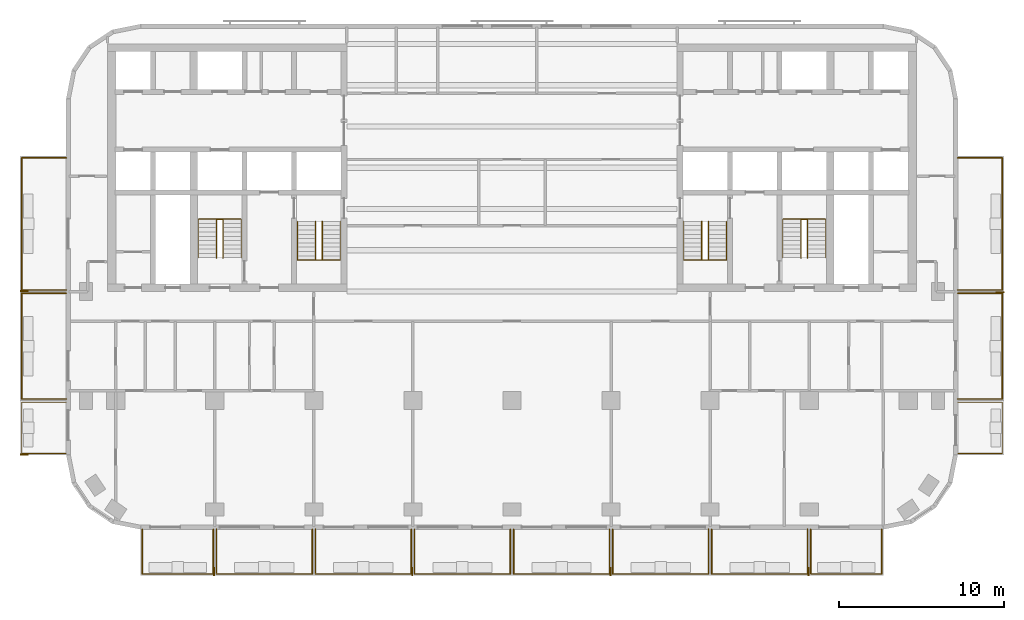
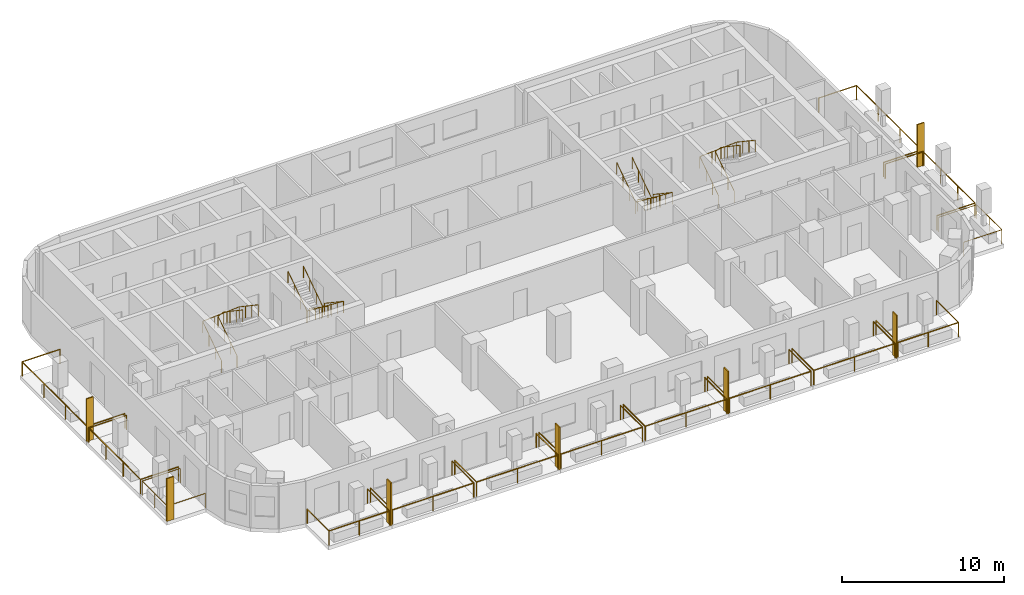
# One storey, part 9 of 11: 22 railings, 7 shading devices.
"""IFC4 building model written with IfcOpenShell, lengths in metres."""

from ifc_helpers import new_model, si_unit, direction, frame, origin, origin_2d, place, context, subcontext, project, spatial, rectangle, circle, extrude, material, layer, layer_set, type_object, element, save


model = new_model("IFC4")

# Units and contexts
model_context = context("Model", 3, precision=1e-05, world=origin(), true_north=direction((0.0, 1.0)))
body_context = subcontext(model_context, "Body", "Model", "MODEL_VIEW")
ifc_project = project(units=[si_unit("LENGTHUNIT", "METRE"), si_unit("AREAUNIT", "SQUARE_METRE"), si_unit("VOLUMEUNIT", "CUBIC_METRE"), si_unit("PLANEANGLEUNIT", "RADIAN"), si_unit("MASSUNIT", "GRAM", prefix="KILO")], contexts=[model_context])

# Site, building, storey
site_placement = place(None, origin())
site = spatial("IfcSite", under=ifc_project, at=site_placement, CompositionType="ELEMENT")
building_placement = place(site_placement, origin())
building = spatial("IfcBuilding", under=site, at=building_placement, Name="Torana Hotel and Residences", CompositionType="ELEMENT")
storey_placement = place(building_placement, frame((0.0, 0.0, 222.10009765625)))
storey = spatial("IfcBuildingStorey", under=building, at=storey_placement, Name="L58", CompositionType="ELEMENT", Elevation=222.10009765625)

# Shading devices
ifc_material_1 = material(Name="Black powder coated aluminium", Category="aluminium")
ifc_layer = layer(ifc_material_1, 0.080078125)
ifc_layer_set = layer_set([ifc_layer], Name="FN1 VERTICAL FIN 500x80")
shading_device_type = type_object("IfcShadingDeviceType", Name="FN1 VERTICAL FIN 500x80", PredefinedType="USERDEFINED", material=ifc_layer_set)
for number, where, z_axis, x_axis, name in (
    (1, (-18.0400390625, -31.949951171875, 0.0), (0.0, 0.0, 1.0), (-1.0, 0.0, 0.0), "Fin 01"),
    (2, (-6.0400390625, -31.949951171875, 0.0), (0.0, 0.0, 1.0), (-1.0, 0.0, 0.0), "Fin 03"),
    (3, (5.9599609375, -31.949951171875, 0.0), (0.0, 0.0, 1.0), (-1.0, 0.0, 0.0), "Fin 05"),
    (4, (17.9599609375, -31.949951171875, 0.0), (0.0, 0.0, 1.0), (-1.0, 0.0, 0.0), "Fin 07"),
    (5, (-29.550048828125, -24.860107421875, 0.0), (0.0, 0.0, 1.0), (0.0, 1.0, 0.0), "Fin 09"),
    (6, (-29.550048828125, -14.9599609375, 0.0), (0.0, 0.0, 1.0), (0.0, 1.0, 0.0), "Fin 11"),
    (7, (29.550048828125, -15.0400390625, 0.0), (0.0, 0.0, 1.0), (0.0, -1.0, 0.0), "Fin 13"),
):
    element("IfcShadingDevice", number, at=place(storey_placement, frame(where, z_axis=z_axis, x_axis=x_axis)), inside=storey, type_object=shading_device_type, Name=name, ObjectType="FIN", PredefinedType="USERDEFINED", context=body_context, shape_type="SweptSolid", body=[
        extrude(rectangle(XDim=0.080078125, YDim=0.5, at=origin_2d()), origin(), (0.0, 0.0, 1.0), 3.219970703125),
    ])

# Railings
ifc_material_2 = material(Name="Laminated glass balustrade with black handrail", Category="glass")
railing_type_1 = type_object("IfcRailingType", Name="GR1 BALCONY GUARD 1100 GLASS", PredefinedType="GUARDRAIL", material=ifc_material_2)
railing_1_placement = place(storey_placement, frame((-18.10009765625, -29.39990234375, 0.0)))
element("IfcRailing", 8, at=railing_1_placement, inside=storey, type_object=railing_type_1, Name="Balcony guard 01", PredefinedType="GUARDRAIL", context=body_context, shape_type="SweptSolid", body=[
    extrude(circle(Radius=0.02392578125, at=origin_2d()), frame((0.0, 0.0, 1.076171875), z_axis=(0.0, -1.0, 0.0), x_axis=(1.0, 0.0, 0.0)), (0.0, 0.0, 1.0), 2.7001953125),
    extrude(circle(Radius=0.02392578125, at=origin_2d()), frame((0.0, -2.7001953125, 1.076171875), z_axis=(-1.0, 0.0, 0.0), x_axis=(0.0, -1.0, 0.0)), (0.0, 0.0, 1.0), 4.2998046875),
    extrude(circle(Radius=0.02392578125, at=origin_2d()), frame((-4.2998046875, -2.7001953125, 1.076171875), z_axis=(0.0, 1.0, 0.0), x_axis=(-1.0, 0.0, 0.0)), (0.0, 0.0, 1.0), 2.7001953125),
    extrude(circle(Radius=0.02099609375, at=origin_2d()), origin(), (0.0, 0.0, 1.0), 1.052001953125),
    extrude(circle(Radius=0.02099609375, at=origin_2d()), frame((0.0, -2.7001953125, 0.0)), (0.0, 0.0, 1.0), 1.052001953125),
    extrude(circle(Radius=0.02099609375, at=origin_2d()), frame((-2.14990234375, -2.7001953125, 0.0)), (0.0, 0.0, 1.0), 1.052001953125),
    extrude(circle(Radius=0.02099609375, at=origin_2d()), frame((-4.2998046875, -2.7001953125, 0.0)), (0.0, 0.0, 1.0), 1.052001953125),
    extrude(circle(Radius=0.02099609375, at=origin_2d()), frame((-4.2998046875, 0.0, 0.0)), (0.0, 0.0, 1.0), 1.052001953125),
])
for number, where, name in (
    (9, (-12.10009765625, -29.39990234375, 0.0), "Balcony guard 02"),
    (10, (-6.10009765625, -29.39990234375, 0.0), "Balcony guard 03"),
    (11, (-0.10009765625, -29.39990234375, 0.0), "Balcony guard 04"),
    (12, (5.89990234375, -29.39990234375, 0.0), "Balcony guard 05"),
    (13, (11.89990234375, -29.39990234375, 0.0), "Balcony guard 06"),
    (14, (17.89990234375, -29.39990234375, 0.0), "Balcony guard 07"),
):
    element("IfcRailing", number, at=place(storey_placement, frame(where)), inside=storey, type_object=railing_type_1, Name=name, PredefinedType="GUARDRAIL", context=body_context, shape_type="SweptSolid", body=[
        extrude(circle(Radius=0.02392578125, at=origin_2d()), frame((0.0, 0.0, 1.076171875), z_axis=(0.0, -1.0, 0.0), x_axis=(1.0, 0.0, 0.0)), (0.0, 0.0, 1.0), 2.7001953125),
        extrude(circle(Radius=0.02392578125, at=origin_2d()), frame((0.0, -2.7001953125, 1.076171875), z_axis=(-1.0, 0.0, 0.0), x_axis=(0.0, -1.0, 0.0)), (0.0, 0.0, 1.0), 5.7998046875),
        extrude(circle(Radius=0.02392578125, at=origin_2d()), frame((-5.7998046875, -2.7001953125, 1.076171875), z_axis=(0.0, 1.0, 0.0), x_axis=(-1.0, 0.0, 0.0)), (0.0, 0.0, 1.0), 2.7001953125),
        extrude(circle(Radius=0.02099609375, at=origin_2d()), origin(), (0.0, 0.0, 1.0), 1.052001953125),
        extrude(circle(Radius=0.02099609375, at=origin_2d()), frame((0.0, -2.7001953125, 0.0)), (0.0, 0.0, 1.0), 1.052001953125),
        extrude(circle(Radius=0.02099609375, at=origin_2d()), frame((-2.89990234375, -2.7001953125, 0.0)), (0.0, 0.0, 1.0), 1.052001953125),
        extrude(circle(Radius=0.02099609375, at=origin_2d()), frame((-5.7998046875, -2.7001953125, 0.0)), (0.0, 0.0, 1.0), 1.052001953125),
        extrude(circle(Radius=0.02099609375, at=origin_2d()), frame((-5.7998046875, 0.0, 0.0)), (0.0, 0.0, 1.0), 1.052001953125),
    ])
railing_2_placement = place(storey_placement, frame((22.39990234375, -29.39990234375, 0.0)))
element("IfcRailing", 15, at=railing_2_placement, inside=storey, type_object=railing_type_1, Name="Balcony guard 08", PredefinedType="GUARDRAIL", context=body_context, shape_type="SweptSolid", body=[
    extrude(circle(Radius=0.02392578125, at=origin_2d()), frame((0.0, 0.0, 1.076171875), z_axis=(0.0, -1.0, 0.0), x_axis=(1.0, 0.0, 0.0)), (0.0, 0.0, 1.0), 2.7001953125),
    extrude(circle(Radius=0.02392578125, at=origin_2d()), frame((0.0, -2.7001953125, 1.076171875), z_axis=(-1.0, 0.0, 0.0), x_axis=(0.0, -1.0, 0.0)), (0.0, 0.0, 1.0), 4.2998046875),
    extrude(circle(Radius=0.02392578125, at=origin_2d()), frame((-4.2998046875, -2.7001953125, 1.076171875), z_axis=(0.0, 1.0, 0.0), x_axis=(-1.0, 0.0, 0.0)), (0.0, 0.0, 1.0), 2.7001953125),
    extrude(circle(Radius=0.02099609375, at=origin_2d()), origin(), (0.0, 0.0, 1.0), 1.052001953125),
    extrude(circle(Radius=0.02099609375, at=origin_2d()), frame((0.0, -2.7001953125, 0.0)), (0.0, 0.0, 1.0), 1.052001953125),
    extrude(circle(Radius=0.02099609375, at=origin_2d()), frame((-2.14990234375, -2.7001953125, 0.0)), (0.0, 0.0, 1.0), 1.052001953125),
    extrude(circle(Radius=0.02099609375, at=origin_2d()), frame((-4.2998046875, -2.7001953125, 0.0)), (0.0, 0.0, 1.0), 1.052001953125),
    extrude(circle(Radius=0.02099609375, at=origin_2d()), frame((-4.2998046875, 0.0, 0.0)), (0.0, 0.0, 1.0), 1.052001953125),
])
railing_3_placement = place(storey_placement, frame((-27.0, -24.800048828125, 0.0)))
element("IfcRailing", 16, at=railing_3_placement, inside=storey, type_object=railing_type_1, Name="Balcony guard 09", PredefinedType="GUARDRAIL", context=body_context, shape_type="SweptSolid", body=[
    extrude(circle(Radius=0.02392578125, at=origin_2d()), frame((0.0, 0.0, 1.076171875), z_axis=(-1.0, 0.0, 0.0), x_axis=(0.0, -1.0, 0.0)), (0.0, 0.0, 1.0), 2.699951171875),
    extrude(circle(Radius=0.02392578125, at=origin_2d()), frame((-2.699951171875, 0.0, 1.076171875), z_axis=(0.0, 1.0, 0.0), x_axis=(-1.0, 0.0, 0.0)), (0.0, 0.0, 1.0), 3.10009765625),
    extrude(circle(Radius=0.02392578125, at=origin_2d()), frame((-2.699951171875, 3.10009765625, 1.076171875), z_axis=(1.0, 0.0, 0.0), x_axis=(0.0, 1.0, 0.0)), (0.0, 0.0, 1.0), 2.699951171875),
    extrude(circle(Radius=0.02099609375, at=origin_2d()), origin(), (0.0, 0.0, 1.0), 1.052001953125),
    extrude(circle(Radius=0.02099609375, at=origin_2d()), frame((-2.699951171875, 0.0, 0.0)), (0.0, 0.0, 1.0), 1.052001953125),
    extrude(circle(Radius=0.02099609375, at=origin_2d()), frame((-2.699951171875, 1.550048828125, 0.0)), (0.0, 0.0, 1.0), 1.052001953125),
    extrude(circle(Radius=0.02099609375, at=origin_2d()), frame((-2.699951171875, 3.10009765625, 0.0)), (0.0, 0.0, 1.0), 1.052001953125),
    extrude(circle(Radius=0.02099609375, at=origin_2d()), frame((0.0, 3.10009765625, 0.0)), (0.0, 0.0, 1.0), 1.052001953125),
])
railing_4_placement = place(storey_placement, frame((-27.0, -21.5, 0.0)))
element("IfcRailing", 17, at=railing_4_placement, inside=storey, type_object=railing_type_1, Name="Balcony guard 10", PredefinedType="GUARDRAIL", context=body_context, shape_type="SweptSolid", body=[
    extrude(circle(Radius=0.02392578125, at=origin_2d()), frame((0.0, 0.0, 1.076171875), z_axis=(-1.0, 0.0, 0.0), x_axis=(0.0, -1.0, 0.0)), (0.0, 0.0, 1.0), 2.699951171875),
    extrude(circle(Radius=0.02392578125, at=origin_2d()), frame((-2.699951171875, 0.0, 1.076171875), z_axis=(0.0, 1.0, 0.0), x_axis=(-1.0, 0.0, 0.0)), (0.0, 0.0, 1.0), 6.39990234375),
    extrude(circle(Radius=0.02392578125, at=origin_2d()), frame((-2.699951171875, 6.39990234375, 1.076171875), z_axis=(1.0, 0.0, 0.0), x_axis=(0.0, 1.0, 0.0)), (0.0, 0.0, 1.0), 2.699951171875),
    extrude(circle(Radius=0.02099609375, at=origin_2d()), origin(), (0.0, 0.0, 1.0), 1.052001953125),
    extrude(circle(Radius=0.02099609375, at=origin_2d()), frame((-2.699951171875, 0.0, 0.0)), (0.0, 0.0, 1.0), 1.052001953125),
    extrude(circle(Radius=0.02099609375, at=origin_2d()), frame((-2.699951171875, 2.13330078125, 0.0)), (0.0, 0.0, 1.0), 1.052001953125),
    extrude(circle(Radius=0.02099609375, at=origin_2d()), frame((-2.699951171875, 4.2666015625, 0.0)), (0.0, 0.0, 1.0), 1.052001953125),
    extrude(circle(Radius=0.02099609375, at=origin_2d()), frame((-2.699951171875, 6.39990234375, 0.0)), (0.0, 0.0, 1.0), 1.052001953125),
    extrude(circle(Radius=0.02099609375, at=origin_2d()), frame((0.0, 6.39990234375, 0.0)), (0.0, 0.0, 1.0), 1.052001953125),
])
railing_5_placement = place(storey_placement, frame((-27.0, -14.89990234375, 0.0)))
element("IfcRailing", 18, at=railing_5_placement, inside=storey, type_object=railing_type_1, Name="Balcony guard 11", PredefinedType="GUARDRAIL", context=body_context, shape_type="SweptSolid", body=[
    extrude(circle(Radius=0.02392578125, at=origin_2d()), frame((0.0, 0.0, 1.076171875), z_axis=(-1.0, 0.0, 0.0), x_axis=(0.0, -1.0, 0.0)), (0.0, 0.0, 1.0), 2.699951171875),
    extrude(circle(Radius=0.02392578125, at=origin_2d()), frame((-2.699951171875, 0.0, 1.076171875), z_axis=(0.0, 1.0, 0.0), x_axis=(-1.0, 0.0, 0.0)), (0.0, 0.0, 1.0), 8.0),
    extrude(circle(Radius=0.02392578125, at=origin_2d()), frame((-2.699951171875, 8.0, 1.076171875), z_axis=(1.0, 0.0, 0.0), x_axis=(0.0, 1.0, 0.0)), (0.0, 0.0, 1.0), 2.699951171875),
    extrude(circle(Radius=0.02099609375, at=origin_2d()), origin(), (0.0, 0.0, 1.0), 1.052001953125),
    extrude(circle(Radius=0.02099609375, at=origin_2d()), frame((-2.699951171875, 0.0, 0.0)), (0.0, 0.0, 1.0), 1.052001953125),
    extrude(circle(Radius=0.02099609375, at=origin_2d()), frame((-2.699951171875, 2.666748046875, 0.0)), (0.0, 0.0, 1.0), 1.052001953125),
    extrude(circle(Radius=0.02099609375, at=origin_2d()), frame((-2.699951171875, 5.333251953125, 0.0)), (0.0, 0.0, 1.0), 1.052001953125),
    extrude(circle(Radius=0.02099609375, at=origin_2d()), frame((-2.699951171875, 8.0, 0.0)), (0.0, 0.0, 1.0), 1.052001953125),
    extrude(circle(Radius=0.02099609375, at=origin_2d()), frame((0.0, 8.0, 0.0)), (0.0, 0.0, 1.0), 1.052001953125),
])
railing_6_placement = place(storey_placement, frame((27.0, -21.699951171875, 0.0)))
element("IfcRailing", 19, at=railing_6_placement, inside=storey, type_object=railing_type_1, Name="Balcony guard 12", PredefinedType="GUARDRAIL", context=body_context, shape_type="SweptSolid", body=[
    extrude(circle(Radius=0.02392578125, at=origin_2d()), frame((0.0, 0.0, 1.076171875), z_axis=(1.0, 0.0, 0.0), x_axis=(0.0, 1.0, 0.0)), (0.0, 0.0, 1.0), 2.699951171875),
    extrude(circle(Radius=0.02392578125, at=origin_2d()), frame((2.699951171875, 0.0, 1.076171875), z_axis=(0.0, -1.0, 0.0), x_axis=(1.0, 0.0, 0.0)), (0.0, 0.0, 1.0), 3.10009765625),
    extrude(circle(Radius=0.02392578125, at=origin_2d()), frame((2.699951171875, -3.10009765625, 1.076171875), z_axis=(-1.0, 0.0, 0.0), x_axis=(0.0, -1.0, 0.0)), (0.0, 0.0, 1.0), 2.699951171875),
    extrude(circle(Radius=0.02099609375, at=origin_2d()), origin(), (0.0, 0.0, 1.0), 1.052001953125),
    extrude(circle(Radius=0.02099609375, at=origin_2d()), frame((2.699951171875, 0.0, 0.0)), (0.0, 0.0, 1.0), 1.052001953125),
    extrude(circle(Radius=0.02099609375, at=origin_2d()), frame((2.699951171875, -1.550048828125, 0.0)), (0.0, 0.0, 1.0), 1.052001953125),
    extrude(circle(Radius=0.02099609375, at=origin_2d()), frame((2.699951171875, -3.10009765625, 0.0)), (0.0, 0.0, 1.0), 1.052001953125),
    extrude(circle(Radius=0.02099609375, at=origin_2d()), frame((0.0, -3.10009765625, 0.0)), (0.0, 0.0, 1.0), 1.052001953125),
])
railing_7_placement = place(storey_placement, frame((27.0, -15.10009765625, 0.0)))
element("IfcRailing", 20, at=railing_7_placement, inside=storey, type_object=railing_type_1, Name="Balcony guard 13", PredefinedType="GUARDRAIL", context=body_context, shape_type="SweptSolid", body=[
    extrude(circle(Radius=0.02392578125, at=origin_2d()), frame((0.0, 0.0, 1.076171875), z_axis=(1.0, 0.0, 0.0), x_axis=(0.0, 1.0, 0.0)), (0.0, 0.0, 1.0), 2.699951171875),
    extrude(circle(Radius=0.02392578125, at=origin_2d()), frame((2.699951171875, 0.0, 1.076171875), z_axis=(0.0, -1.0, 0.0), x_axis=(1.0, 0.0, 0.0)), (0.0, 0.0, 1.0), 6.39990234375),
    extrude(circle(Radius=0.02392578125, at=origin_2d()), frame((2.699951171875, -6.39990234375, 1.076171875), z_axis=(-1.0, 0.0, 0.0), x_axis=(0.0, -1.0, 0.0)), (0.0, 0.0, 1.0), 2.699951171875),
    extrude(circle(Radius=0.02099609375, at=origin_2d()), origin(), (0.0, 0.0, 1.0), 1.052001953125),
    extrude(circle(Radius=0.02099609375, at=origin_2d()), frame((2.699951171875, 0.0, 0.0)), (0.0, 0.0, 1.0), 1.052001953125),
    extrude(circle(Radius=0.02099609375, at=origin_2d()), frame((2.699951171875, -2.13330078125, 0.0)), (0.0, 0.0, 1.0), 1.052001953125),
    extrude(circle(Radius=0.02099609375, at=origin_2d()), frame((2.699951171875, -4.2666015625, 0.0)), (0.0, 0.0, 1.0), 1.052001953125),
    extrude(circle(Radius=0.02099609375, at=origin_2d()), frame((2.699951171875, -6.39990234375, 0.0)), (0.0, 0.0, 1.0), 1.052001953125),
    extrude(circle(Radius=0.02099609375, at=origin_2d()), frame((0.0, -6.39990234375, 0.0)), (0.0, 0.0, 1.0), 1.052001953125),
])
railing_8_placement = place(storey_placement, frame((27.0, -6.89990234375, 0.0)))
element("IfcRailing", 21, at=railing_8_placement, inside=storey, type_object=railing_type_1, Name="Balcony guard 14", PredefinedType="GUARDRAIL", context=body_context, shape_type="SweptSolid", body=[
    extrude(circle(Radius=0.02392578125, at=origin_2d()), frame((0.0, 0.0, 1.076171875), z_axis=(1.0, 0.0, 0.0), x_axis=(0.0, 1.0, 0.0)), (0.0, 0.0, 1.0), 2.699951171875),
    extrude(circle(Radius=0.02392578125, at=origin_2d()), frame((2.699951171875, 0.0, 1.076171875), z_axis=(0.0, -1.0, 0.0), x_axis=(1.0, 0.0, 0.0)), (0.0, 0.0, 1.0), 8.0),
    extrude(circle(Radius=0.02392578125, at=origin_2d()), frame((2.699951171875, -8.0, 1.076171875), z_axis=(-1.0, 0.0, 0.0), x_axis=(0.0, -1.0, 0.0)), (0.0, 0.0, 1.0), 2.699951171875),
    extrude(circle(Radius=0.02099609375, at=origin_2d()), origin(), (0.0, 0.0, 1.0), 1.052001953125),
    extrude(circle(Radius=0.02099609375, at=origin_2d()), frame((2.699951171875, 0.0, 0.0)), (0.0, 0.0, 1.0), 1.052001953125),
    extrude(circle(Radius=0.02099609375, at=origin_2d()), frame((2.699951171875, -2.666748046875, 0.0)), (0.0, 0.0, 1.0), 1.052001953125),
    extrude(circle(Radius=0.02099609375, at=origin_2d()), frame((2.699951171875, -5.333251953125, 0.0)), (0.0, 0.0, 1.0), 1.052001953125),
    extrude(circle(Radius=0.02099609375, at=origin_2d()), frame((2.699951171875, -8.0, 0.0)), (0.0, 0.0, 1.0), 1.052001953125),
    extrude(circle(Radius=0.02099609375, at=origin_2d()), frame((0.0, -8.0, 0.0)), (0.0, 0.0, 1.0), 1.052001953125),
])
ifc_material_3 = material(Name="Stainless steel 316", Category="steel")
railing_type_2 = type_object("IfcRailingType", Name="STAIR HANDRAIL HR1 900", PredefinedType="HANDRAIL", material=ifc_material_3)
railing_9_placement = place(storey_placement, frame((-10.39990234375, -10.75, 0.1748046875)))
element("IfcRailing", 22, at=railing_9_placement, inside=storey, type_object=railing_type_2, Name="Handrail ST1 L58 O1", PredefinedType="HANDRAIL", context=body_context, shape_type="SweptSolid", body=[
    extrude(circle(Radius=0.02392578125, at=origin_2d()), frame((0.0, 0.0, 0.8759765625), z_axis=(0.0, -0.829565388462, 0.558409586474), x_axis=(1.0, 0.0, 0.0)), (0.0, 0.0, 1.0), 2.82080078125),
    extrude(circle(Radius=0.02392578125, at=origin_2d()), frame((0.0, -2.340087890625, 2.451171875), z_axis=(-0.997747692642, 0.0, 0.067078624219), x_axis=(0.0, -1.0, 0.0)), (0.0, 0.0, 1.0), 2.60595703125),
    extrude(circle(Radius=0.02392578125, at=origin_2d()), frame((-2.60009765625, -2.340087890625, 2.6259765625), z_axis=(0.0, 0.829565388462, 0.558409586474), x_axis=(-1.0, 0.0, 0.0)), (0.0, 0.0, 1.0), 2.82080078125),
    extrude(circle(Radius=0.02099609375, at=origin_2d()), origin(), (0.0, 0.0, 1.0), 0.851806640625),
    extrude(circle(Radius=0.02099609375, at=origin_2d()), frame((0.0, -0.780029296875, 0.525146484375)), (0.0, 0.0, 1.0), 0.851806640625),
    extrude(circle(Radius=0.02099609375, at=origin_2d()), frame((0.0, -1.56005859375, 1.050048828125)), (0.0, 0.0, 1.0), 0.851806640625),
    extrude(circle(Radius=0.02099609375, at=origin_2d()), frame((0.0, -2.340087890625, 1.5751953125)), (0.0, 0.0, 1.0), 0.851806640625),
    extrude(circle(Radius=0.02099609375, at=origin_2d()), frame((-0.86669921875, -2.340087890625, 1.633544921875)), (0.0, 0.0, 1.0), 0.851806640625),
    extrude(circle(Radius=0.02099609375, at=origin_2d()), frame((-1.7333984375, -2.340087890625, 1.691650390625)), (0.0, 0.0, 1.0), 0.851806640625),
    extrude(circle(Radius=0.02099609375, at=origin_2d()), frame((-2.60009765625, -2.340087890625, 1.75)), (0.0, 0.0, 1.0), 0.851806640625),
    extrude(circle(Radius=0.02099609375, at=origin_2d()), frame((-2.60009765625, -1.56005859375, 2.275146484375)), (0.0, 0.0, 1.0), 0.851806640625),
    extrude(circle(Radius=0.02099609375, at=origin_2d()), frame((-2.60009765625, -0.780029296875, 2.800048828125)), (0.0, 0.0, 1.0), 0.851806640625),
    extrude(circle(Radius=0.02099609375, at=origin_2d()), frame((-2.60009765625, 0.0, 3.3251953125)), (0.0, 0.0, 1.0), 0.851806640625),
])
railing_10_placement = place(storey_placement, frame((-11.5, -10.75, 0.1748046875)))
element("IfcRailing", 23, at=railing_10_placement, inside=storey, type_object=railing_type_2, Name="Handrail ST1 L58 I1", PredefinedType="HANDRAIL", context=body_context, shape_type="SweptSolid", body=[
    extrude(circle(Radius=0.02392578125, at=origin_2d()), frame((0.0, 0.0, 0.8759765625), z_axis=(0.0, -0.829565388462, 0.558409586474), x_axis=(1.0, 0.0, 0.0)), (0.0, 0.0, 1.0), 2.82080078125),
    extrude(circle(Radius=0.02392578125, at=origin_2d()), frame((0.0, -2.340087890625, 2.451171875), z_axis=(-0.916285673175, 0.0, 0.400525361412), x_axis=(0.0, -1.0, 0.0)), (0.0, 0.0, 1.0), 0.4365234375),
    extrude(circle(Radius=0.02392578125, at=origin_2d()), frame((-0.39990234375, -2.340087890625, 2.6259765625), z_axis=(0.0, 0.829565388462, 0.558409586474), x_axis=(-1.0, 0.0, 0.0)), (0.0, 0.0, 1.0), 2.82080078125),
    extrude(circle(Radius=0.02099609375, at=origin_2d()), origin(), (0.0, 0.0, 1.0), 0.851806640625),
    extrude(circle(Radius=0.02099609375, at=origin_2d()), frame((0.0, -0.780029296875, 0.525146484375)), (0.0, 0.0, 1.0), 0.851806640625),
    extrude(circle(Radius=0.02099609375, at=origin_2d()), frame((0.0, -1.56005859375, 1.050048828125)), (0.0, 0.0, 1.0), 0.851806640625),
    extrude(circle(Radius=0.02099609375, at=origin_2d()), frame((0.0, -2.340087890625, 1.5751953125)), (0.0, 0.0, 1.0), 0.851806640625),
    extrude(circle(Radius=0.02099609375, at=origin_2d()), frame((-0.39990234375, -2.340087890625, 1.75)), (0.0, 0.0, 1.0), 0.851806640625),
    extrude(circle(Radius=0.02099609375, at=origin_2d()), frame((-0.39990234375, -1.56005859375, 2.275146484375)), (0.0, 0.0, 1.0), 0.851806640625),
    extrude(circle(Radius=0.02099609375, at=origin_2d()), frame((-0.39990234375, -0.780029296875, 2.800048828125)), (0.0, 0.0, 1.0), 0.851806640625),
    extrude(circle(Radius=0.02099609375, at=origin_2d()), frame((-0.39990234375, 0.0, 3.3251953125)), (0.0, 0.0, 1.0), 0.851806640625),
])
railing_11_placement = place(storey_placement, frame((-19.0, -12.949951171875, 0.1748046875)))
element("IfcRailing", 24, at=railing_11_placement, inside=storey, type_object=railing_type_2, Name="Handrail ST2 L58 O1", PredefinedType="HANDRAIL", context=body_context, shape_type="SweptSolid", body=[
    extrude(circle(Radius=0.02392578125, at=origin_2d()), frame((0.0, 0.0, 0.8759765625), z_axis=(0.0, 0.829538397957, 0.558449681095), x_axis=(-1.0, 0.0, 0.0)), (0.0, 0.0, 1.0), 2.820556640625),
    extrude(circle(Radius=0.02392578125, at=origin_2d()), frame((0.0, 2.33984375, 2.451171875), z_axis=(0.997747692642, 0.0, 0.067078624219), x_axis=(0.0, 1.0, 0.0)), (0.0, 0.0, 1.0), 2.60595703125),
    extrude(circle(Radius=0.02392578125, at=origin_2d()), frame((2.60009765625, 2.33984375, 2.6259765625), z_axis=(0.0, -0.829538397957, 0.558449681095), x_axis=(1.0, 0.0, 0.0)), (0.0, 0.0, 1.0), 2.820556640625),
    extrude(circle(Radius=0.02099609375, at=origin_2d()), origin(), (0.0, 0.0, 1.0), 0.851806640625),
    extrude(circle(Radius=0.02099609375, at=origin_2d()), frame((0.0, 0.780029296875, 0.525146484375)), (0.0, 0.0, 1.0), 0.851806640625),
    extrude(circle(Radius=0.02099609375, at=origin_2d()), frame((0.0, 1.559814453125, 1.050048828125)), (0.0, 0.0, 1.0), 0.851806640625),
    extrude(circle(Radius=0.02099609375, at=origin_2d()), frame((0.0, 2.33984375, 1.5751953125)), (0.0, 0.0, 1.0), 0.851806640625),
    extrude(circle(Radius=0.02099609375, at=origin_2d()), frame((0.86669921875, 2.33984375, 1.633544921875)), (0.0, 0.0, 1.0), 0.851806640625),
    extrude(circle(Radius=0.02099609375, at=origin_2d()), frame((1.7333984375, 2.33984375, 1.691650390625)), (0.0, 0.0, 1.0), 0.851806640625),
    extrude(circle(Radius=0.02099609375, at=origin_2d()), frame((2.60009765625, 2.33984375, 1.75)), (0.0, 0.0, 1.0), 0.851806640625),
    extrude(circle(Radius=0.02099609375, at=origin_2d()), frame((2.60009765625, 1.559814453125, 2.275146484375)), (0.0, 0.0, 1.0), 0.851806640625),
    extrude(circle(Radius=0.02099609375, at=origin_2d()), frame((2.60009765625, 0.780029296875, 2.800048828125)), (0.0, 0.0, 1.0), 0.851806640625),
    extrude(circle(Radius=0.02099609375, at=origin_2d()), frame((2.60009765625, 0.0, 3.3251953125)), (0.0, 0.0, 1.0), 0.851806640625),
])
railing_12_placement = place(storey_placement, frame((-17.89990234375, -12.949951171875, 0.1748046875)))
element("IfcRailing", 25, at=railing_12_placement, inside=storey, type_object=railing_type_2, Name="Handrail ST2 L58 I1", PredefinedType="HANDRAIL", context=body_context, shape_type="SweptSolid", body=[
    extrude(circle(Radius=0.02392578125, at=origin_2d()), frame((0.0, 0.0, 0.8759765625), z_axis=(0.0, 0.829538397957, 0.558449681095), x_axis=(-1.0, 0.0, 0.0)), (0.0, 0.0, 1.0), 2.820556640625),
    extrude(circle(Radius=0.02392578125, at=origin_2d()), frame((0.0, 2.33984375, 2.451171875), z_axis=(0.916285673175, 0.0, 0.400525361412), x_axis=(0.0, 1.0, 0.0)), (0.0, 0.0, 1.0), 0.4365234375),
    extrude(circle(Radius=0.02392578125, at=origin_2d()), frame((0.39990234375, 2.33984375, 2.6259765625), z_axis=(0.0, -0.829538397957, 0.558449681095), x_axis=(1.0, 0.0, 0.0)), (0.0, 0.0, 1.0), 2.820556640625),
    extrude(circle(Radius=0.02099609375, at=origin_2d()), origin(), (0.0, 0.0, 1.0), 0.851806640625),
    extrude(circle(Radius=0.02099609375, at=origin_2d()), frame((0.0, 0.780029296875, 0.525146484375)), (0.0, 0.0, 1.0), 0.851806640625),
    extrude(circle(Radius=0.02099609375, at=origin_2d()), frame((0.0, 1.559814453125, 1.050048828125)), (0.0, 0.0, 1.0), 0.851806640625),
    extrude(circle(Radius=0.02099609375, at=origin_2d()), frame((0.0, 2.33984375, 1.5751953125)), (0.0, 0.0, 1.0), 0.851806640625),
    extrude(circle(Radius=0.02099609375, at=origin_2d()), frame((0.39990234375, 2.33984375, 1.75)), (0.0, 0.0, 1.0), 0.851806640625),
    extrude(circle(Radius=0.02099609375, at=origin_2d()), frame((0.39990234375, 1.559814453125, 2.275146484375)), (0.0, 0.0, 1.0), 0.851806640625),
    extrude(circle(Radius=0.02099609375, at=origin_2d()), frame((0.39990234375, 0.780029296875, 2.800048828125)), (0.0, 0.0, 1.0), 0.851806640625),
    extrude(circle(Radius=0.02099609375, at=origin_2d()), frame((0.39990234375, 0.0, 3.3251953125)), (0.0, 0.0, 1.0), 0.851806640625),
])
railing_13_placement = place(storey_placement, frame((13.0, -10.75, 0.1748046875)))
element("IfcRailing", 26, at=railing_13_placement, inside=storey, type_object=railing_type_2, Name="Handrail ST3 L58 O1", PredefinedType="HANDRAIL", context=body_context, shape_type="SweptSolid", body=[
    extrude(circle(Radius=0.02392578125, at=origin_2d()), frame((0.0, 0.0, 0.8759765625), z_axis=(0.0, -0.829565388462, 0.558409586474), x_axis=(1.0, 0.0, 0.0)), (0.0, 0.0, 1.0), 2.82080078125),
    extrude(circle(Radius=0.02392578125, at=origin_2d()), frame((0.0, -2.340087890625, 2.451171875), z_axis=(-0.997747692642, 0.0, 0.067078624219), x_axis=(0.0, -1.0, 0.0)), (0.0, 0.0, 1.0), 2.60595703125),
    extrude(circle(Radius=0.02392578125, at=origin_2d()), frame((-2.60009765625, -2.340087890625, 2.6259765625), z_axis=(0.0, 0.829565388462, 0.558409586474), x_axis=(-1.0, 0.0, 0.0)), (0.0, 0.0, 1.0), 2.82080078125),
    extrude(circle(Radius=0.02099609375, at=origin_2d()), origin(), (0.0, 0.0, 1.0), 0.851806640625),
    extrude(circle(Radius=0.02099609375, at=origin_2d()), frame((0.0, -0.780029296875, 0.525146484375)), (0.0, 0.0, 1.0), 0.851806640625),
    extrude(circle(Radius=0.02099609375, at=origin_2d()), frame((0.0, -1.56005859375, 1.050048828125)), (0.0, 0.0, 1.0), 0.851806640625),
    extrude(circle(Radius=0.02099609375, at=origin_2d()), frame((0.0, -2.340087890625, 1.5751953125)), (0.0, 0.0, 1.0), 0.851806640625),
    extrude(circle(Radius=0.02099609375, at=origin_2d()), frame((-0.86669921875, -2.340087890625, 1.633544921875)), (0.0, 0.0, 1.0), 0.851806640625),
    extrude(circle(Radius=0.02099609375, at=origin_2d()), frame((-1.7333984375, -2.340087890625, 1.691650390625)), (0.0, 0.0, 1.0), 0.851806640625),
    extrude(circle(Radius=0.02099609375, at=origin_2d()), frame((-2.60009765625, -2.340087890625, 1.75)), (0.0, 0.0, 1.0), 0.851806640625),
    extrude(circle(Radius=0.02099609375, at=origin_2d()), frame((-2.60009765625, -1.56005859375, 2.275146484375)), (0.0, 0.0, 1.0), 0.851806640625),
    extrude(circle(Radius=0.02099609375, at=origin_2d()), frame((-2.60009765625, -0.780029296875, 2.800048828125)), (0.0, 0.0, 1.0), 0.851806640625),
    extrude(circle(Radius=0.02099609375, at=origin_2d()), frame((-2.60009765625, 0.0, 3.3251953125)), (0.0, 0.0, 1.0), 0.851806640625),
])
railing_14_placement = place(storey_placement, frame((11.89990234375, -10.75, 0.1748046875)))
element("IfcRailing", 27, at=railing_14_placement, inside=storey, type_object=railing_type_2, Name="Handrail ST3 L58 I1", PredefinedType="HANDRAIL", context=body_context, shape_type="SweptSolid", body=[
    extrude(circle(Radius=0.02392578125, at=origin_2d()), frame((0.0, 0.0, 0.8759765625), z_axis=(0.0, -0.829565388462, 0.558409586474), x_axis=(1.0, 0.0, 0.0)), (0.0, 0.0, 1.0), 2.82080078125),
    extrude(circle(Radius=0.02392578125, at=origin_2d()), frame((0.0, -2.340087890625, 2.451171875), z_axis=(-0.916285673175, 0.0, 0.400525361412), x_axis=(0.0, -1.0, 0.0)), (0.0, 0.0, 1.0), 0.4365234375),
    extrude(circle(Radius=0.02392578125, at=origin_2d()), frame((-0.39990234375, -2.340087890625, 2.6259765625), z_axis=(0.0, 0.829565388462, 0.558409586474), x_axis=(-1.0, 0.0, 0.0)), (0.0, 0.0, 1.0), 2.82080078125),
    extrude(circle(Radius=0.02099609375, at=origin_2d()), origin(), (0.0, 0.0, 1.0), 0.851806640625),
    extrude(circle(Radius=0.02099609375, at=origin_2d()), frame((0.0, -0.780029296875, 0.525146484375)), (0.0, 0.0, 1.0), 0.851806640625),
    extrude(circle(Radius=0.02099609375, at=origin_2d()), frame((0.0, -1.56005859375, 1.050048828125)), (0.0, 0.0, 1.0), 0.851806640625),
    extrude(circle(Radius=0.02099609375, at=origin_2d()), frame((0.0, -2.340087890625, 1.5751953125)), (0.0, 0.0, 1.0), 0.851806640625),
    extrude(circle(Radius=0.02099609375, at=origin_2d()), frame((-0.39990234375, -2.340087890625, 1.75)), (0.0, 0.0, 1.0), 0.851806640625),
    extrude(circle(Radius=0.02099609375, at=origin_2d()), frame((-0.39990234375, -1.56005859375, 2.275146484375)), (0.0, 0.0, 1.0), 0.851806640625),
    extrude(circle(Radius=0.02099609375, at=origin_2d()), frame((-0.39990234375, -0.780029296875, 2.800048828125)), (0.0, 0.0, 1.0), 0.851806640625),
    extrude(circle(Radius=0.02099609375, at=origin_2d()), frame((-0.39990234375, 0.0, 3.3251953125)), (0.0, 0.0, 1.0), 0.851806640625),
])
railing_15_placement = place(storey_placement, frame((16.39990234375, -12.949951171875, 0.1748046875)))
element("IfcRailing", 28, at=railing_15_placement, inside=storey, type_object=railing_type_2, Name="Handrail ST4 L58 O1", PredefinedType="HANDRAIL", context=body_context, shape_type="SweptSolid", body=[
    extrude(circle(Radius=0.02392578125, at=origin_2d()), frame((0.0, 0.0, 0.8759765625), z_axis=(0.0, 0.829538397957, 0.558449681095), x_axis=(-1.0, 0.0, 0.0)), (0.0, 0.0, 1.0), 2.820556640625),
    extrude(circle(Radius=0.02392578125, at=origin_2d()), frame((0.0, 2.33984375, 2.451171875), z_axis=(0.997747692642, 0.0, 0.067078624219), x_axis=(0.0, 1.0, 0.0)), (0.0, 0.0, 1.0), 2.60595703125),
    extrude(circle(Radius=0.02392578125, at=origin_2d()), frame((2.60009765625, 2.33984375, 2.6259765625), z_axis=(0.0, -0.829538397957, 0.558449681095), x_axis=(1.0, 0.0, 0.0)), (0.0, 0.0, 1.0), 2.820556640625),
    extrude(circle(Radius=0.02099609375, at=origin_2d()), origin(), (0.0, 0.0, 1.0), 0.851806640625),
    extrude(circle(Radius=0.02099609375, at=origin_2d()), frame((0.0, 0.780029296875, 0.525146484375)), (0.0, 0.0, 1.0), 0.851806640625),
    extrude(circle(Radius=0.02099609375, at=origin_2d()), frame((0.0, 1.559814453125, 1.050048828125)), (0.0, 0.0, 1.0), 0.851806640625),
    extrude(circle(Radius=0.02099609375, at=origin_2d()), frame((0.0, 2.33984375, 1.5751953125)), (0.0, 0.0, 1.0), 0.851806640625),
    extrude(circle(Radius=0.02099609375, at=origin_2d()), frame((0.86669921875, 2.33984375, 1.633544921875)), (0.0, 0.0, 1.0), 0.851806640625),
    extrude(circle(Radius=0.02099609375, at=origin_2d()), frame((1.7333984375, 2.33984375, 1.691650390625)), (0.0, 0.0, 1.0), 0.851806640625),
    extrude(circle(Radius=0.02099609375, at=origin_2d()), frame((2.60009765625, 2.33984375, 1.75)), (0.0, 0.0, 1.0), 0.851806640625),
    extrude(circle(Radius=0.02099609375, at=origin_2d()), frame((2.60009765625, 1.559814453125, 2.275146484375)), (0.0, 0.0, 1.0), 0.851806640625),
    extrude(circle(Radius=0.02099609375, at=origin_2d()), frame((2.60009765625, 0.780029296875, 2.800048828125)), (0.0, 0.0, 1.0), 0.851806640625),
    extrude(circle(Radius=0.02099609375, at=origin_2d()), frame((2.60009765625, 0.0, 3.3251953125)), (0.0, 0.0, 1.0), 0.851806640625),
])
railing_16_placement = place(storey_placement, frame((17.5, -12.949951171875, 0.1748046875)))
element("IfcRailing", 29, at=railing_16_placement, inside=storey, type_object=railing_type_2, Name="Handrail ST4 L58 I1", PredefinedType="HANDRAIL", context=body_context, shape_type="SweptSolid", body=[
    extrude(circle(Radius=0.02392578125, at=origin_2d()), frame((0.0, 0.0, 0.8759765625), z_axis=(0.0, 0.829538397957, 0.558449681095), x_axis=(-1.0, 0.0, 0.0)), (0.0, 0.0, 1.0), 2.820556640625),
    extrude(circle(Radius=0.02392578125, at=origin_2d()), frame((0.0, 2.33984375, 2.451171875), z_axis=(0.916285673175, 0.0, 0.400525361412), x_axis=(0.0, 1.0, 0.0)), (0.0, 0.0, 1.0), 0.4365234375),
    extrude(circle(Radius=0.02392578125, at=origin_2d()), frame((0.39990234375, 2.33984375, 2.6259765625), z_axis=(0.0, -0.829538397957, 0.558449681095), x_axis=(1.0, 0.0, 0.0)), (0.0, 0.0, 1.0), 2.820556640625),
    extrude(circle(Radius=0.02099609375, at=origin_2d()), origin(), (0.0, 0.0, 1.0), 0.851806640625),
    extrude(circle(Radius=0.02099609375, at=origin_2d()), frame((0.0, 0.780029296875, 0.525146484375)), (0.0, 0.0, 1.0), 0.851806640625),
    extrude(circle(Radius=0.02099609375, at=origin_2d()), frame((0.0, 1.559814453125, 1.050048828125)), (0.0, 0.0, 1.0), 0.851806640625),
    extrude(circle(Radius=0.02099609375, at=origin_2d()), frame((0.0, 2.33984375, 1.5751953125)), (0.0, 0.0, 1.0), 0.851806640625),
    extrude(circle(Radius=0.02099609375, at=origin_2d()), frame((0.39990234375, 2.33984375, 1.75)), (0.0, 0.0, 1.0), 0.851806640625),
    extrude(circle(Radius=0.02099609375, at=origin_2d()), frame((0.39990234375, 1.559814453125, 2.275146484375)), (0.0, 0.0, 1.0), 0.851806640625),
    extrude(circle(Radius=0.02099609375, at=origin_2d()), frame((0.39990234375, 0.780029296875, 2.800048828125)), (0.0, 0.0, 1.0), 0.851806640625),
    extrude(circle(Radius=0.02099609375, at=origin_2d()), frame((0.39990234375, 0.0, 3.3251953125)), (0.0, 0.0, 1.0), 0.851806640625),
])

save(model, "model.ifc")
